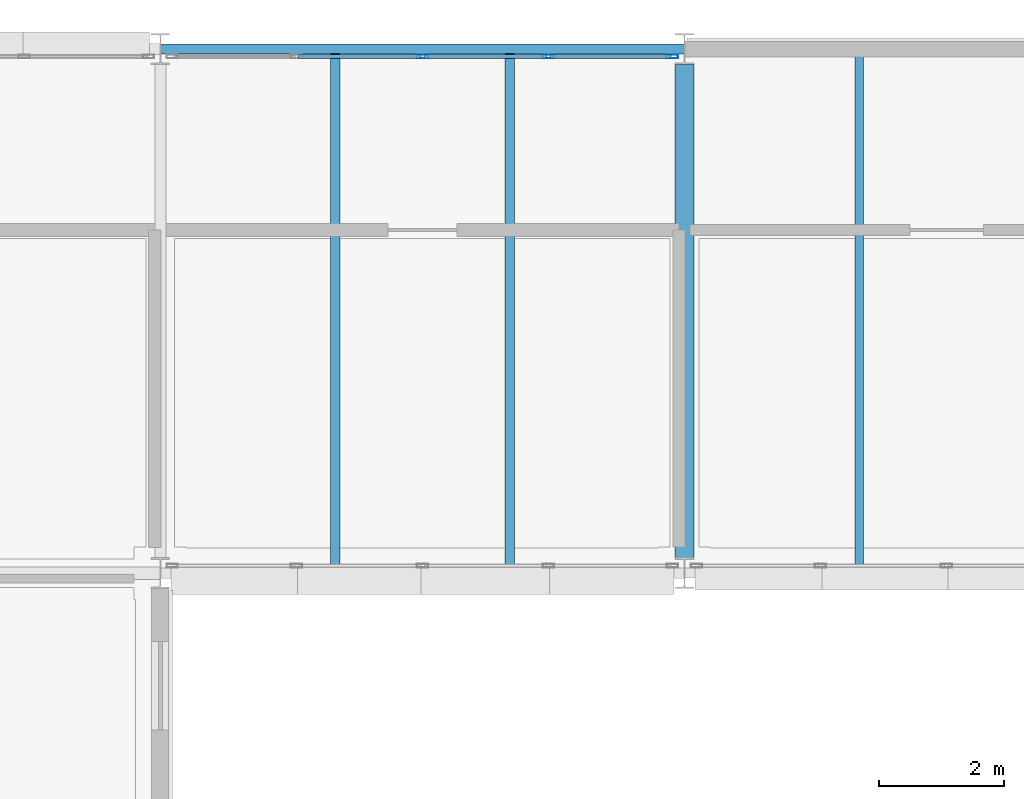
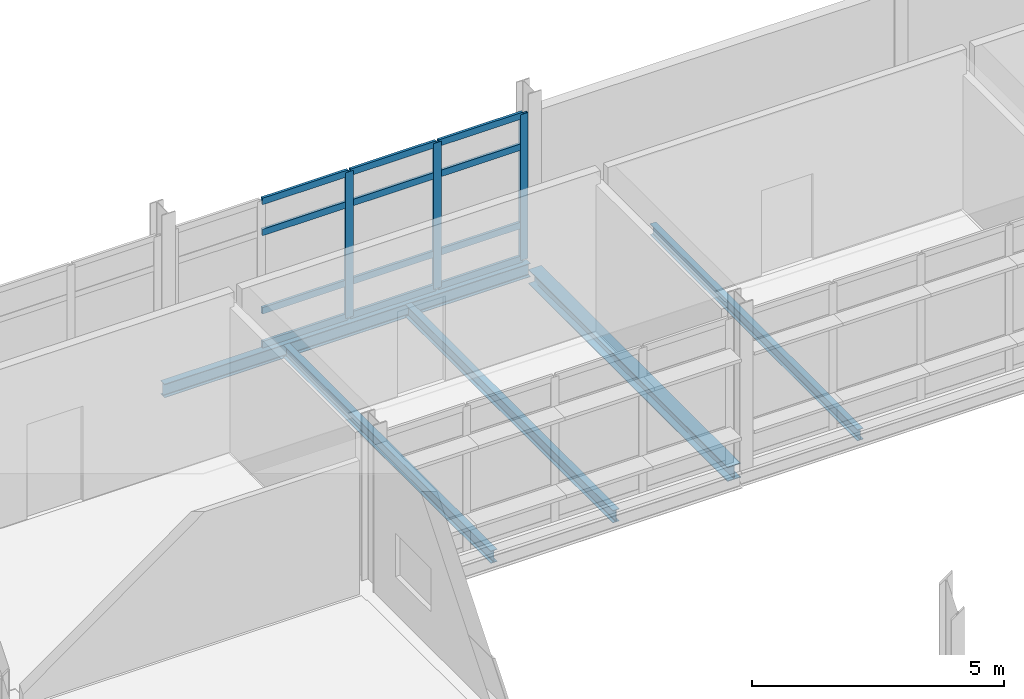
# One storey, part 81 of 131: 15 members, 5 beams, 1 element without a shape of its own.
"""IFC4 building model written with IfcOpenShell, lengths in metres."""

from ifc_helpers import new_model, si_unit, direction, frame, origin, origin_2d, place, context, subcontext, project, spatial, hollow_rectangle, i_section, extrude, material, material_profile, profile_set, type_object, element, aggregate, save


model = new_model("IFC4")

# Units and contexts
model_context = context("Model", 3, precision=1e-05, world=origin(), true_north=direction((0.0, 1.0)))
body_context = subcontext(model_context, "Body", "Model", "MODEL_VIEW")
ifc_project = project(units=[si_unit("LENGTHUNIT", "METRE"), si_unit("AREAUNIT", "SQUARE_METRE"), si_unit("VOLUMEUNIT", "CUBIC_METRE"), si_unit("PLANEANGLEUNIT", "RADIAN"), si_unit("MASSUNIT", "GRAM", prefix="KILO")], contexts=[model_context])

# Site, building, storey
site_placement = place(None, origin())
site = spatial("IfcSite", under=ifc_project, at=site_placement, CompositionType="ELEMENT")
building_placement = place(site_placement, origin())
building = spatial("IfcBuilding", under=site, at=building_placement, Name="Mersafa Astral City Hall", CompositionType="ELEMENT")
storey_placement = place(building_placement, frame((0.0, 0.0, 13.949951171875)))
storey = spatial("IfcBuildingStorey", under=building, at=storey_placement, Name="L03", CompositionType="ELEMENT", Elevation=13.949951171875)

# Curtain wall, members
ifc_material_1 = material(Name="Anodised bronze aluminium framing", Category="aluminium")
curtain_wall_type = type_object("IfcCurtainWallType", Name="ENV-CW-1", PredefinedType="USERDEFINED", material=ifc_material_1)
curtain_wall_placement = place(storey_placement, origin())
curtain_wall = element("IfcCurtainWall", 1, at=curtain_wall_placement, inside=storey, type_object=curtain_wall_type, Name="L03 Unitised solar curtain wall 168", ObjectType="UNITISED CURTAIN WALL", PredefinedType="USERDEFINED")
ifc_material_profile_1 = material_profile(ifc_material_1, hollow_rectangle(XDim=0.06005859375, YDim=0.179931640625, WallThickness=0.00390625, at=origin_2d()), Name="RHS 60x180x4")
ifc_profile_set_1 = profile_set([ifc_material_profile_1], Name="Anodised bronze aluminium framing")
member_type_1 = type_object("IfcMemberType", Name="ENV-CW-MUL-1", PredefinedType="MULLION", material=ifc_profile_set_1)
member_1_placement = place(storey_placement, frame((125.80810546875, 125.8798828125, -0.001953125), z_axis=(0.0, 0.0, 1.0), x_axis=(0.0, -1.0, 0.0)))
member_1 = element("IfcMember", 2, at=member_1_placement, type_object=member_type_1, Name="CW-1 mullion 1", PredefinedType="MULLION", context=body_context, shape_type="SweptSolid", body=[
    extrude(hollow_rectangle(XDim=0.06005859375, YDim=0.179931640625, WallThickness=0.00390625, at=origin_2d()), origin(), (0.0, 0.0, 1.0), 3.533935546875),
])
member_2_placement = place(storey_placement, frame((123.819091796875, 125.8798828125, -0.001953125), z_axis=(0.0, 0.0, 1.0), x_axis=(0.0, -1.0, 0.0)))
member_2 = element("IfcMember", 3, at=member_2_placement, type_object=member_type_1, Name="CW-1 mullion 2", PredefinedType="MULLION", context=body_context, shape_type="SweptSolid", body=[
    extrude(hollow_rectangle(XDim=0.06005859375, YDim=0.179931640625, WallThickness=0.00390625, at=origin_2d()), origin(), (0.0, 0.0, 1.0), 3.533935546875),
])
member_3_placement = place(storey_placement, frame((121.800048828125, 125.8798828125, -0.001953125), z_axis=(0.0, 0.0, 1.0), x_axis=(0.0, -1.0, 0.0)))
member_3 = element("IfcMember", 4, at=member_3_placement, type_object=member_type_1, Name="CW-1 mullion 3", PredefinedType="MULLION", context=body_context, shape_type="SweptSolid", body=[
    extrude(hollow_rectangle(XDim=0.06005859375, YDim=0.179931640625, WallThickness=0.00390625, at=origin_2d()), origin(), (0.0, 0.0, 1.0), 3.533935546875),
])
ifc_material_profile_2 = material_profile(ifc_material_1, hollow_rectangle(XDim=0.06005859375, YDim=0.159912109375, WallThickness=0.00390625, at=origin_2d()), Name="RHS 60x160x4")
ifc_profile_set_2 = profile_set([ifc_material_profile_2], Name="Anodised bronze aluminium framing")
member_type_2 = type_object("IfcMemberType", Name="ENV-CW-TRN-2", PredefinedType="USERDEFINED", material=ifc_profile_set_2)
member_4_placement = place(storey_placement, frame((125.778076171875, 125.8798828125, 0.028076171875), z_axis=(-1.0, 0.0, 0.0), x_axis=(0.0, -1.0, 0.0)))
member_4 = element("IfcMember", 5, at=member_4_placement, type_object=member_type_2, Name="CW-1 transom 1.1", ObjectType="TRANSOM", PredefinedType="USERDEFINED", context=body_context, shape_type="SweptSolid", body=[
    extrude(hollow_rectangle(XDim=0.06005859375, YDim=0.159912109375, WallThickness=0.00390625, at=origin_2d()), origin(), (0.0, 0.0, 1.0), 1.928955078125),
])
member_5_placement = place(storey_placement, frame((125.778076171875, 125.8798828125, 0.85009765625), z_axis=(-1.0, 0.0, 0.0), x_axis=(0.0, -1.0, 0.0)))
member_5 = element("IfcMember", 6, at=member_5_placement, type_object=member_type_2, Name="CW-1 transom 1.2", ObjectType="TRANSOM", PredefinedType="USERDEFINED", context=body_context, shape_type="SweptSolid", body=[
    extrude(hollow_rectangle(XDim=0.06005859375, YDim=0.159912109375, WallThickness=0.00390625, at=origin_2d()), origin(), (0.0, 0.0, 1.0), 1.928955078125),
])
member_6_placement = place(storey_placement, frame((125.778076171875, 125.8798828125, 2.75), z_axis=(-1.0, 0.0, 0.0), x_axis=(0.0, -1.0, 0.0)))
member_6 = element("IfcMember", 7, at=member_6_placement, type_object=member_type_2, Name="CW-1 transom 1.3", ObjectType="TRANSOM", PredefinedType="USERDEFINED", context=body_context, shape_type="SweptSolid", body=[
    extrude(hollow_rectangle(XDim=0.06005859375, YDim=0.159912109375, WallThickness=0.00390625, at=origin_2d()), origin(), (0.0, 0.0, 1.0), 1.928955078125),
])
member_7_placement = place(storey_placement, frame((125.778076171875, 125.8798828125, 3.501953125), z_axis=(-1.0, 0.0, 0.0), x_axis=(0.0, -1.0, 0.0)))
member_7 = element("IfcMember", 8, at=member_7_placement, type_object=member_type_2, Name="CW-1 transom 1.4", ObjectType="TRANSOM", PredefinedType="USERDEFINED", context=body_context, shape_type="SweptSolid", body=[
    extrude(hollow_rectangle(XDim=0.06005859375, YDim=0.159912109375, WallThickness=0.00390625, at=origin_2d()), origin(), (0.0, 0.0, 1.0), 1.928955078125),
])
member_8_placement = place(storey_placement, frame((123.7890625, 125.8798828125, 0.028076171875), z_axis=(-1.0, 0.0, 0.0), x_axis=(0.0, -1.0, 0.0)))
member_8 = element("IfcMember", 9, at=member_8_placement, type_object=member_type_2, Name="CW-1 transom 2.1", ObjectType="TRANSOM", PredefinedType="USERDEFINED", context=body_context, shape_type="SweptSolid", body=[
    extrude(hollow_rectangle(XDim=0.06005859375, YDim=0.159912109375, WallThickness=0.00390625, at=origin_2d()), origin(), (0.0, 0.0, 1.0), 1.958984375),
])
member_9_placement = place(storey_placement, frame((123.7890625, 125.8798828125, 0.85009765625), z_axis=(-1.0, 0.0, 0.0), x_axis=(0.0, -1.0, 0.0)))
member_9 = element("IfcMember", 10, at=member_9_placement, type_object=member_type_2, Name="CW-1 transom 2.2", ObjectType="TRANSOM", PredefinedType="USERDEFINED", context=body_context, shape_type="SweptSolid", body=[
    extrude(hollow_rectangle(XDim=0.06005859375, YDim=0.159912109375, WallThickness=0.00390625, at=origin_2d()), origin(), (0.0, 0.0, 1.0), 1.958984375),
])
member_10_placement = place(storey_placement, frame((123.7890625, 125.8798828125, 2.75), z_axis=(-1.0, 0.0, 0.0), x_axis=(0.0, -1.0, 0.0)))
member_10 = element("IfcMember", 11, at=member_10_placement, type_object=member_type_2, Name="CW-1 transom 2.3", ObjectType="TRANSOM", PredefinedType="USERDEFINED", context=body_context, shape_type="SweptSolid", body=[
    extrude(hollow_rectangle(XDim=0.06005859375, YDim=0.159912109375, WallThickness=0.00390625, at=origin_2d()), origin(), (0.0, 0.0, 1.0), 1.958984375),
])
member_11_placement = place(storey_placement, frame((123.7890625, 125.8798828125, 3.501953125), z_axis=(-1.0, 0.0, 0.0), x_axis=(0.0, -1.0, 0.0)))
member_11 = element("IfcMember", 12, at=member_11_placement, type_object=member_type_2, Name="CW-1 transom 2.4", ObjectType="TRANSOM", PredefinedType="USERDEFINED", context=body_context, shape_type="SweptSolid", body=[
    extrude(hollow_rectangle(XDim=0.06005859375, YDim=0.159912109375, WallThickness=0.00390625, at=origin_2d()), origin(), (0.0, 0.0, 1.0), 1.958984375),
])
member_12_placement = place(storey_placement, frame((121.77001953125, 125.8798828125, 0.028076171875), z_axis=(-1.0, 0.0, 0.0), x_axis=(0.0, -1.0, 0.0)))
member_12 = element("IfcMember", 13, at=member_12_placement, type_object=member_type_2, Name="CW-1 transom 3.1", ObjectType="TRANSOM", PredefinedType="USERDEFINED", context=body_context, shape_type="SweptSolid", body=[
    extrude(hollow_rectangle(XDim=0.06005859375, YDim=0.159912109375, WallThickness=0.00390625, at=origin_2d()), origin(), (0.0, 0.0, 1.0), 1.958984375),
])
member_13_placement = place(storey_placement, frame((121.77001953125, 125.8798828125, 0.85009765625), z_axis=(-1.0, 0.0, 0.0), x_axis=(0.0, -1.0, 0.0)))
member_13 = element("IfcMember", 14, at=member_13_placement, type_object=member_type_2, Name="CW-1 transom 3.2", ObjectType="TRANSOM", PredefinedType="USERDEFINED", context=body_context, shape_type="SweptSolid", body=[
    extrude(hollow_rectangle(XDim=0.06005859375, YDim=0.159912109375, WallThickness=0.00390625, at=origin_2d()), origin(), (0.0, 0.0, 1.0), 1.958984375),
])
member_14_placement = place(storey_placement, frame((121.77001953125, 125.8798828125, 2.75), z_axis=(-1.0, 0.0, 0.0), x_axis=(0.0, -1.0, 0.0)))
member_14 = element("IfcMember", 15, at=member_14_placement, type_object=member_type_2, Name="CW-1 transom 3.3", ObjectType="TRANSOM", PredefinedType="USERDEFINED", context=body_context, shape_type="SweptSolid", body=[
    extrude(hollow_rectangle(XDim=0.06005859375, YDim=0.159912109375, WallThickness=0.00390625, at=origin_2d()), origin(), (0.0, 0.0, 1.0), 1.958984375),
])
member_15_placement = place(storey_placement, frame((121.77001953125, 125.8798828125, 3.501953125), z_axis=(-1.0, 0.0, 0.0), x_axis=(0.0, -1.0, 0.0)))
member_15 = element("IfcMember", 16, at=member_15_placement, type_object=member_type_2, Name="CW-1 transom 3.4", ObjectType="TRANSOM", PredefinedType="USERDEFINED", context=body_context, shape_type="SweptSolid", body=[
    extrude(hollow_rectangle(XDim=0.06005859375, YDim=0.159912109375, WallThickness=0.00390625, at=origin_2d()), origin(), (0.0, 0.0, 1.0), 1.958984375),
])
aggregate(curtain_wall, [member_1, member_2, member_3, member_4, member_5, member_6, member_7, member_8, member_9, member_10, member_11, member_12, member_13, member_14, member_15])

# Beams
ifc_material_2 = material(Name="Steel S355", Category="steel")
ifc_material_profile_3 = material_profile(ifc_material_2, i_section(OverallWidth=0.300048828125, OverallDepth=0.35009765625, WebThickness=0.010009765625, FlangeThickness=0.017578125, FilletRadius=0.027099609375, at=origin_2d()), Name="HEA 360")
ifc_profile_set_3 = profile_set([ifc_material_profile_3], Name="Steel S355")
beam_type_1 = type_object("IfcBeamType", Name="STR-BM-HEA360", PredefinedType="BEAM", material=ifc_profile_set_3)
beam_1_placement = place(storey_placement, frame((126.0, 117.844970703125, -0.375), z_axis=(0.0, 1.0, 0.0), x_axis=(-1.0, 0.0, 0.0)))
element("IfcBeam", 17, at=beam_1_placement, inside=storey, type_object=beam_type_1, Name="L03 Primary girder Y 15-14", PredefinedType="BEAM", context=body_context, shape_type="SweptSolid", body=[
    extrude(i_section(OverallWidth=0.300048828125, OverallDepth=0.35009765625, WebThickness=0.010009765625, FlangeThickness=0.017578125, FilletRadius=0.027099609375, at=origin_2d()), origin(), (0.0, 0.0, 1.0), 7.909912109375),
])
ifc_material_profile_4 = material_profile(ifc_material_2, i_section(OverallWidth=0.135009765625, OverallDepth=0.27001953125, WebThickness=0.006591796875, FlangeThickness=0.01025390625, FilletRadius=0.014892578125, at=origin_2d()), Name="IPE 270")
ifc_profile_set_4 = profile_set([ifc_material_profile_4], Name="Steel S355")
beam_type_2 = type_object("IfcBeamType", Name="STR-BM-JOIST-IPE270", PredefinedType="JOIST", material=ifc_profile_set_4)
beam_2_placement = place(storey_placement, frame((128.800048828125, 117.675048828125, -0.3349609375), z_axis=(0.0, 1.0, 0.0), x_axis=(-1.0, 0.0, 0.0)))
element("IfcBeam", 18, at=beam_2_placement, inside=storey, type_object=beam_type_2, Name="L03 Composite secondary floor joist 640", PredefinedType="JOIST", context=body_context, shape_type="SweptSolid", body=[
    extrude(i_section(OverallWidth=0.135009765625, OverallDepth=0.27001953125, WebThickness=0.006591796875, FlangeThickness=0.01025390625, FilletRadius=0.014892578125, at=origin_2d()), origin(), (0.0, 0.0, 1.0), 8.244873046875),
])
ifc_material_profile_5 = material_profile(ifc_material_2, i_section(OverallWidth=0.14990234375, OverallDepth=0.300048828125, WebThickness=0.007080078125, FlangeThickness=0.0107421875, FilletRadius=0.014892578125, at=origin_2d()), Name="IPE 300")
ifc_profile_set_5 = profile_set([ifc_material_profile_5], Name="Steel S355")
beam_type_3 = type_object("IfcBeamType", Name="STR-BM-JOIST-IPE300", PredefinedType="JOIST", material=ifc_profile_set_5)
for number, where, z_axis, x_axis, name in (
    (19, (120.39990234375, 117.679931640625, -0.349853515625), (0.0, 1.0, 0.0), (-1.0, 0.0, 0.0), "L03 Composite secondary floor joist 632"),
    (20, (123.199951171875, 117.679931640625, -0.349853515625), (0.0, 1.0, 0.0), (-1.0, 0.0, 0.0), "L03 Composite secondary floor joist 633"),
):
    element("IfcBeam", number, at=place(storey_placement, frame(where, z_axis=z_axis, x_axis=x_axis)), inside=storey, type_object=beam_type_3, Name=name, PredefinedType="JOIST", context=body_context, shape_type="SweptSolid", body=[
        extrude(i_section(OverallWidth=0.14990234375, OverallDepth=0.300048828125, WebThickness=0.007080078125, FlangeThickness=0.0107421875, FilletRadius=0.014892578125, at=origin_2d()), origin(), (0.0, 0.0, 1.0), 8.2451171875),
    ])
ifc_material_profile_6 = material_profile(ifc_material_2, i_section(OverallWidth=0.159912109375, OverallDepth=0.330078125, WebThickness=0.007568359375, FlangeThickness=0.011474609375, FilletRadius=0.01806640625, at=origin_2d()), Name="IPE 330")
ifc_profile_set_6 = profile_set([ifc_material_profile_6], Name="Steel S355")
beam_type_4 = type_object("IfcBeamType", Name="STR-BM-SPANDREL-IPE330", PredefinedType="SPANDREL", material=ifc_profile_set_6)
beam_3_placement = place(storey_placement, frame((117.60302734375, 126.0, -0.364990234375), z_axis=(1.0, 0.0, 0.0), x_axis=(0.0, 1.0, 0.0)))
element("IfcBeam", 21, at=beam_3_placement, inside=storey, type_object=beam_type_4, Name="L03 Primary girder X 14-15", PredefinedType="SPANDREL", context=body_context, shape_type="SweptSolid", body=[
    extrude(i_section(OverallWidth=0.159912109375, OverallDepth=0.330078125, WebThickness=0.007568359375, FlangeThickness=0.011474609375, FilletRadius=0.01806640625, at=origin_2d()), origin(), (0.0, 0.0, 1.0), 8.39404296875),
])

save(model, "model.ifc")
